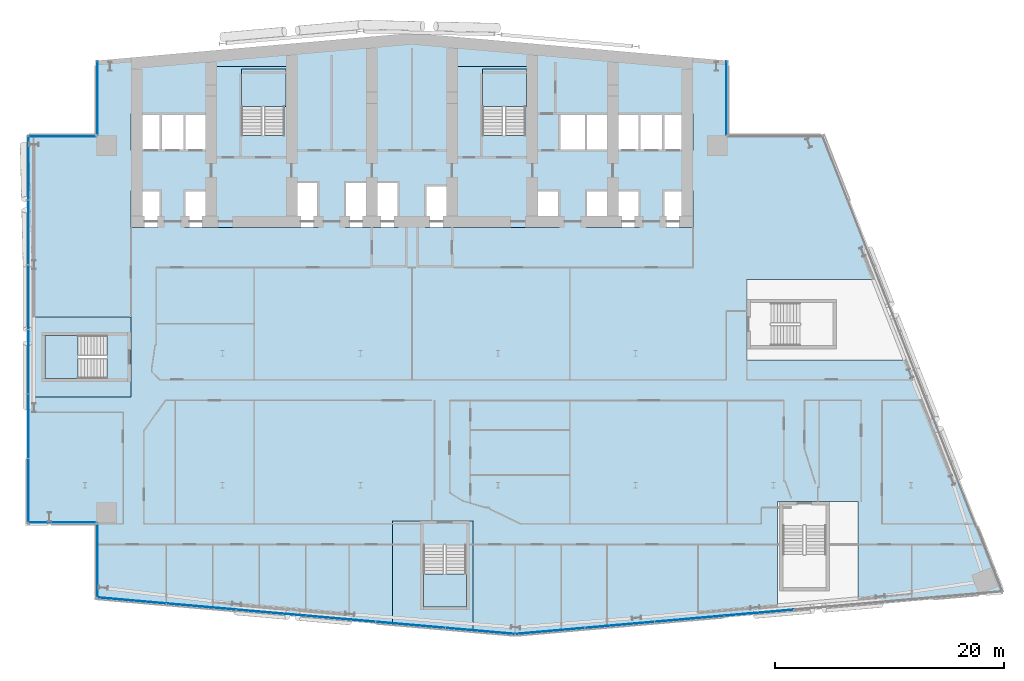
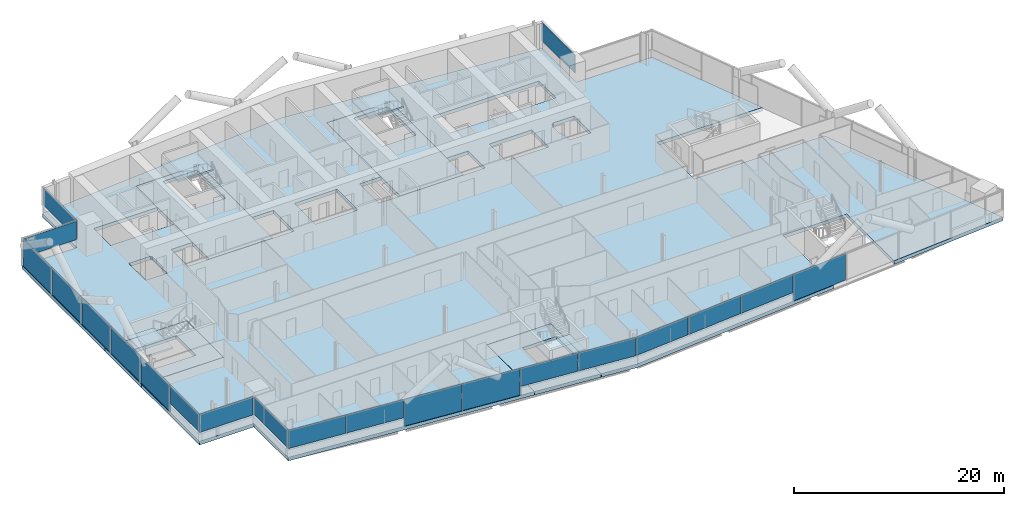
# One storey, part 12 of 27: 21 plates, 9 slabs, 12 elements without a shape of their own.
"""IFC4 building model written with IfcOpenShell, lengths in metres."""

from ifc_helpers import new_model, si_unit, direction, frame, origin, origin_2d, place, context, subcontext, project, spatial, polyline, rectangle, outline, extrude, material, layer, layer_set, type_object, element, aggregate, save


model = new_model("IFC4")

# Units and contexts
model_context = context("Model", 3, precision=1e-05, world=origin(), true_north=direction((0.0, 1.0)))
body_context = subcontext(model_context, "Body", "Model", "MODEL_VIEW")
ifc_project = project(units=[si_unit("LENGTHUNIT", "METRE"), si_unit("AREAUNIT", "SQUARE_METRE"), si_unit("VOLUMEUNIT", "CUBIC_METRE"), si_unit("PLANEANGLEUNIT", "RADIAN"), si_unit("MASSUNIT", "GRAM", prefix="KILO")], contexts=[model_context])

# Site, building, storey
site_placement = place(None, origin())
site = spatial("IfcSite", under=ifc_project, at=site_placement, CompositionType="ELEMENT")
building_placement = place(site_placement, origin())
building = spatial("IfcBuilding", under=site, at=building_placement, Name="Wharfspan Tower", CompositionType="ELEMENT")
storey_placement = place(building_placement, frame((0.0, 0.0, 136.300049)))
storey = spatial("IfcBuildingStorey", under=building, at=storey_placement, Name="L32", CompositionType="ELEMENT", Elevation=136.300049)

# Curtain wall, plates
ifc_material_1 = material(Name="Aluminium 6063-T6", Category="aluminium")
curtain_wall_type_1 = type_object("IfcCurtainWallType", Name="CURTAIN WALL FACETED FRONT", PredefinedType="NOTDEFINED", material=ifc_material_1)
curtain_wall_1_placement = place(storey_placement, origin())
curtain_wall_1 = element("IfcCurtainWall", 1, at=curtain_wall_1_placement, inside=storey, type_object=curtain_wall_type_1, Name="Curtain wall S1", PredefinedType="NOTDEFINED")
ifc_material_2 = material(Name="Glass clear low-iron double glazing", Category="glass")
ifc_layer_1 = layer(ifc_material_2, 0.040039)
ifc_layer_set_1 = layer_set([ifc_layer_1], Name="Glass clear low-iron double glazing")
plate_type_1 = type_object("IfcPlateType", Name="GLASS PANEL FACETED FRONT 40", PredefinedType="CURTAIN_PANEL", material=ifc_layer_set_1)
plate_1_placement = place(storey_placement, frame((16.061768, 1.467529, 1.0), z_axis=(0.0, 0.0, 1.0), x_axis=(0.996198, -0.087156, 0.0)))
plate_1 = element("IfcPlate", 2, at=plate_1_placement, type_object=plate_type_1, Name="Curtain wall S1 panel 1", PredefinedType="CURTAIN_PANEL", context=body_context, shape_type="SweptSolid", body=[
    extrude(rectangle(XDim=6.016602, YDim=0.040039, at=origin_2d()), origin(), (0.0, 0.0, 1.0), 2.120117),
])
plate_2_placement = place(storey_placement, frame((22.130127, 0.936523, 1.0), z_axis=(0.0, 0.0, 1.0), x_axis=(0.996198, -0.087156, 0.0)))
plate_2 = element("IfcPlate", 3, at=plate_2_placement, type_object=plate_type_1, Name="Curtain wall S1 panel 2", PredefinedType="CURTAIN_PANEL", context=body_context, shape_type="SweptSolid", body=[
    extrude(rectangle(XDim=6.046631, YDim=0.040039, at=origin_2d()), origin(), (0.0, 0.0, 1.0), 2.120117),
])
plate_3_placement = place(storey_placement, frame((40.380127, -0.660156, 1.0), z_axis=(0.0, 0.0, 1.0), x_axis=(0.996198, -0.087156, 0.0)))
plate_3 = element("IfcPlate", 4, at=plate_3_placement, type_object=plate_type_1, Name="Curtain wall S1 panel 5", PredefinedType="CURTAIN_PANEL", context=body_context, shape_type="SweptSolid", body=[
    extrude(rectangle(XDim=6.046631, YDim=0.040039, at=origin_2d()), origin(), (0.0, 0.0, 1.0), 2.120117),
])
plate_4_placement = place(storey_placement, frame((46.44873, -1.191162, 1.0), z_axis=(0.0, 0.0, 1.0), x_axis=(0.996198, -0.087156, 0.0)))
plate_4 = element("IfcPlate", 5, at=plate_4_placement, type_object=plate_type_1, Name="Curtain wall S1 panel 6", PredefinedType="CURTAIN_PANEL", context=body_context, shape_type="SweptSolid", body=[
    extrude(rectangle(XDim=6.016602, YDim=0.040039, at=origin_2d()), origin(), (0.0, 0.0, 1.0), 2.120117),
])

curtain_wall_2_placement = place(storey_placement, origin())
curtain_wall_2 = element("IfcCurtainWall", 6, at=curtain_wall_2_placement, inside=storey, type_object=curtain_wall_type_1, Name="Curtain wall S2", PredefinedType="NOTDEFINED")
plate_5_placement = place(storey_placement, frame((52.54541, -1.19165, 1.0), z_axis=(0.0, 0.0, 1.0), x_axis=(0.996198, 0.087156, 0.0)))
plate_5 = element("IfcPlate", 7, at=plate_5_placement, type_object=plate_type_1, Name="Curtain wall S2 panel 1", PredefinedType="CURTAIN_PANEL", context=body_context, shape_type="SweptSolid", body=[
    extrude(rectangle(XDim=6.004639, YDim=0.040039, at=origin_2d()), origin(), (0.0, 0.0, 1.0), 2.120117),
])
plate_6_placement = place(storey_placement, frame((58.601807, -0.661621, 1.0), z_axis=(0.0, 0.0, 1.0), x_axis=(0.996198, 0.087156, 0.0)))
plate_6 = element("IfcPlate", 8, at=plate_6_placement, type_object=plate_type_1, Name="Curtain wall S2 panel 2", PredefinedType="CURTAIN_PANEL", context=body_context, shape_type="SweptSolid", body=[
    extrude(rectangle(XDim=6.034668, YDim=0.040039, at=origin_2d()), origin(), (0.0, 0.0, 1.0), 2.120117),
])
plate_7_placement = place(storey_placement, frame((64.67334, -0.130615, 1.0), z_axis=(0.0, 0.0, 1.0), x_axis=(0.996198, 0.087156, 0.0)))
plate_7 = element("IfcPlate", 9, at=plate_7_placement, type_object=plate_type_1, Name="Curtain wall S2 panel 3", PredefinedType="CURTAIN_PANEL", context=body_context, shape_type="SweptSolid", body=[
    extrude(rectangle(XDim=6.034668, YDim=0.040039, at=origin_2d()), origin(), (0.0, 0.0, 1.0), 2.120117),
])

# Curtain wall, plate
curtain_wall_type_2 = type_object("IfcCurtainWallType", Name="CURTAIN WALL PROW AND END", PredefinedType="NOTDEFINED", material=ifc_material_1)
curtain_wall_3_placement = place(storey_placement, origin())
curtain_wall_3 = element("IfcCurtainWall", 10, at=curtain_wall_3_placement, inside=storey, type_object=curtain_wall_type_2, Name="Curtain wall NRE-V", PredefinedType="NOTDEFINED")
ifc_layer_2 = layer(ifc_material_2, 0.040039)
ifc_layer_set_2 = layer_set([ifc_layer_2], Name="Glass clear low-iron double glazing")
plate_type_2 = type_object("IfcPlateType", Name="GLASS PANEL PROW AND END 40", PredefinedType="CURTAIN_PANEL", material=ifc_layer_set_2)
plate_8_placement = place(storey_placement, frame((67.919922, 45.262451, 1.0), z_axis=(0.0, 0.0, 1.0), x_axis=(0.0, 1.0, 0.0)))
plate_8 = element("IfcPlate", 11, at=plate_8_placement, type_object=plate_type_2, Name="Curtain wall NRE-V panel 1", PredefinedType="CURTAIN_PANEL", context=body_context, shape_type="SweptSolid", body=[
    extrude(rectangle(XDim=6.405029, YDim=0.040039, at=origin_2d()), origin(), (0.0, 0.0, 1.0), 2.120117),
])
aggregate(curtain_wall_3, [plate_8])

curtain_wall_4_placement = place(storey_placement, origin())
curtain_wall_4 = element("IfcCurtainWall", 12, at=curtain_wall_4_placement, inside=storey, type_object=curtain_wall_type_2, Name="Curtain wall NRW-V", PredefinedType="NOTDEFINED")
plate_9_placement = place(storey_placement, frame((13.080078, 45.262451, 1.0), z_axis=(0.0, 0.0, 1.0), x_axis=(0.0, -1.0, 0.0)))
plate_9 = element("IfcPlate", 13, at=plate_9_placement, type_object=plate_type_2, Name="Curtain wall NRW-V panel 1", PredefinedType="CURTAIN_PANEL", context=body_context, shape_type="SweptSolid", body=[
    extrude(rectangle(XDim=6.405029, YDim=0.040039, at=origin_2d()), origin(), (0.0, 0.0, 1.0), 2.120117),
])
aggregate(curtain_wall_4, [plate_9])

curtain_wall_5_placement = place(storey_placement, origin())
curtain_wall_5 = element("IfcCurtainWall", 14, at=curtain_wall_5_placement, inside=storey, type_object=curtain_wall_type_2, Name="Curtain wall NRW-H", PredefinedType="NOTDEFINED")
plate_10_placement = place(storey_placement, frame((10.0, 41.919922, 1.0), z_axis=(0.0, 0.0, 1.0), x_axis=(-1.0, 0.0, 0.0)))
plate_10 = element("IfcPlate", 15, at=plate_10_placement, type_object=plate_type_2, Name="Curtain wall NRW-H panel 1", PredefinedType="CURTAIN_PANEL", context=body_context, shape_type="SweptSolid", body=[
    extrude(rectangle(XDim=5.879883, YDim=0.040039, at=origin_2d()), origin(), (0.0, 0.0, 1.0), 2.120117),
])
aggregate(curtain_wall_5, [plate_10])

curtain_wall_6_placement = place(storey_placement, origin())
curtain_wall_6 = element("IfcCurtainWall", 16, at=curtain_wall_6_placement, inside=storey, type_object=curtain_wall_type_2, Name="Curtain wall W", PredefinedType="NOTDEFINED")
plate_11_placement = place(storey_placement, frame((7.080078, 11.031738, 1.0), z_axis=(0.0, 0.0, 1.0), x_axis=(0.0, -1.0, 0.0)))
plate_11 = element("IfcPlate", 17, at=plate_11_placement, type_object=plate_type_2, Name="Curtain wall W panel 6", PredefinedType="CURTAIN_PANEL", context=body_context, shape_type="SweptSolid", body=[
    extrude(rectangle(XDim=5.543213, YDim=0.040039, at=origin_2d()), origin(), (0.0, 0.0, 1.0), 2.120117),
])

curtain_wall_7_placement = place(storey_placement, origin())
curtain_wall_7 = element("IfcCurtainWall", 18, at=curtain_wall_7_placement, inside=storey, type_object=curtain_wall_type_2, Name="Curtain wall NFW-H", PredefinedType="NOTDEFINED")
plate_12_placement = place(storey_placement, frame((10.0, 8.280029, 1.0), z_axis=(0.0, 0.0, 1.0), x_axis=(1.0, 0.0, 0.0)))
plate_12 = element("IfcPlate", 19, at=plate_12_placement, type_object=plate_type_2, Name="Curtain wall NFW-H panel 1", PredefinedType="CURTAIN_PANEL", context=body_context, shape_type="SweptSolid", body=[
    extrude(rectangle(XDim=5.879883, YDim=0.040039, at=origin_2d()), origin(), (0.0, 0.0, 1.0), 2.120117),
])
aggregate(curtain_wall_7, [plate_12])

curtain_wall_8_placement = place(storey_placement, origin())
curtain_wall_8 = element("IfcCurtainWall", 20, at=curtain_wall_8_placement, inside=storey, type_object=curtain_wall_type_2, Name="Curtain wall NFW-V", PredefinedType="NOTDEFINED")
plate_13_placement = place(storey_placement, frame((13.080078, 4.9375, 1.0), z_axis=(0.0, 0.0, 1.0), x_axis=(0.0, -1.0, 0.0)))
plate_13 = element("IfcPlate", 21, at=plate_13_placement, type_object=plate_type_2, Name="Curtain wall NFW-V panel 1", PredefinedType="CURTAIN_PANEL", context=body_context, shape_type="SweptSolid", body=[
    extrude(rectangle(XDim=6.405029, YDim=0.040039, at=origin_2d()), origin(), (0.0, 0.0, 1.0), 2.120117),
])
aggregate(curtain_wall_8, [plate_13])

# Plate
ifc_material_3 = material(Name="Aluminium composite opaque insulated panel", Category="aluminium")
ifc_layer_3 = layer(ifc_material_3, 0.040039)
ifc_layer_set_3 = layer_set([ifc_layer_3], Name="Aluminium composite opaque insulated panel")
plate_type_3 = type_object("IfcPlateType", Name="INFILL PANEL FACETED FRONT OPAQUE 40", PredefinedType="SHEET", material=ifc_layer_set_3)
plate_14_placement = place(storey_placement, frame((28.213623, 0.404297, 0.0), z_axis=(0.0, 0.0, 1.0), x_axis=(0.996198, -0.087156, 0.0)))
plate_14 = element("IfcPlate", 22, at=plate_14_placement, type_object=plate_type_3, Name="Curtain wall S1 panel 3", PredefinedType="SHEET", context=body_context, shape_type="SweptSolid", body=[
    extrude(rectangle(XDim=6.046631, YDim=0.040039, at=origin_2d()), origin(), (0.0, 0.0, 1.0), 3.120117),
])

plate_15_placement = place(storey_placement, frame((34.296875, -0.12793, 0.0), z_axis=(0.0, 0.0, 1.0), x_axis=(0.996198, -0.087156, 0.0)))
plate_15 = element("IfcPlate", 23, at=plate_15_placement, type_object=plate_type_3, Name="Curtain wall S1 panel 4", PredefinedType="SHEET", context=body_context, shape_type="SweptSolid", body=[
    extrude(rectangle(XDim=6.046631, YDim=0.040039, at=origin_2d()), origin(), (0.0, 0.0, 1.0), 3.120117),
])

aggregate(curtain_wall_1, [plate_1, plate_2, plate_14, plate_15, plate_3, plate_4])

plate_16_placement = place(storey_placement, frame((70.744873, 0.400635, 0.0), z_axis=(0.0, 0.0, 1.0), x_axis=(0.996198, 0.087156, 0.0)))
plate_16 = element("IfcPlate", 24, at=plate_16_placement, type_object=plate_type_3, Name="Curtain wall S2 panel 4", PredefinedType="SHEET", context=body_context, shape_type="SweptSolid", body=[
    extrude(rectangle(XDim=6.034668, YDim=0.040039, at=origin_2d()), origin(), (0.0, 0.0, 1.0), 3.120117),
])

aggregate(curtain_wall_2, [plate_5, plate_6, plate_7, plate_16])

ifc_layer_4 = layer(ifc_material_3, 0.040039)
ifc_layer_set_4 = layer_set([ifc_layer_4], Name="Aluminium composite opaque insulated panel")
plate_type_4 = type_object("IfcPlateType", Name="INFILL PANEL PROW AND END OPAQUE 40", PredefinedType="SHEET", material=ifc_layer_set_4)
plate_17_placement = place(storey_placement, frame((7.080078, 39.168213, 0.0), z_axis=(0.0, 0.0, 1.0), x_axis=(0.0, -1.0, 0.0)))
plate_17 = element("IfcPlate", 25, at=plate_17_placement, type_object=plate_type_4, Name="Curtain wall W panel 1", PredefinedType="SHEET", context=body_context, shape_type="SweptSolid", body=[
    extrude(rectangle(XDim=5.543213, YDim=0.040039, at=origin_2d()), origin(), (0.0, 0.0, 1.0), 3.120117),
])

plate_18_placement = place(storey_placement, frame((7.080078, 33.550049, 0.0), z_axis=(0.0, 0.0, 1.0), x_axis=(0.0, -1.0, 0.0)))
plate_18 = element("IfcPlate", 26, at=plate_18_placement, type_object=plate_type_4, Name="Curtain wall W panel 2", PredefinedType="SHEET", context=body_context, shape_type="SweptSolid", body=[
    extrude(rectangle(XDim=5.573242, YDim=0.040039, at=origin_2d()), origin(), (0.0, 0.0, 1.0), 3.120117),
])

plate_19_placement = place(storey_placement, frame((7.080078, 27.916748, 0.0), z_axis=(0.0, 0.0, 1.0), x_axis=(0.0, -1.0, 0.0)))
plate_19 = element("IfcPlate", 27, at=plate_19_placement, type_object=plate_type_4, Name="Curtain wall W panel 3", PredefinedType="SHEET", context=body_context, shape_type="SweptSolid", body=[
    extrude(rectangle(XDim=5.573242, YDim=0.040039, at=origin_2d()), origin(), (0.0, 0.0, 1.0), 3.120117),
])

plate_20_placement = place(storey_placement, frame((7.080078, 22.283447, 0.0), z_axis=(0.0, 0.0, 1.0), x_axis=(0.0, -1.0, 0.0)))
plate_20 = element("IfcPlate", 28, at=plate_20_placement, type_object=plate_type_4, Name="Curtain wall W panel 4", PredefinedType="SHEET", context=body_context, shape_type="SweptSolid", body=[
    extrude(rectangle(XDim=5.573242, YDim=0.040039, at=origin_2d()), origin(), (0.0, 0.0, 1.0), 3.120117),
])

plate_21_placement = place(storey_placement, frame((7.080078, 16.649902, 0.0), z_axis=(0.0, 0.0, 1.0), x_axis=(0.0, -1.0, 0.0)))
plate_21 = element("IfcPlate", 29, at=plate_21_placement, type_object=plate_type_4, Name="Curtain wall W panel 5", PredefinedType="SHEET", context=body_context, shape_type="SweptSolid", body=[
    extrude(rectangle(XDim=5.573242, YDim=0.040039, at=origin_2d()), origin(), (0.0, 0.0, 1.0), 3.120117),
])

aggregate(curtain_wall_6, [plate_17, plate_18, plate_19, plate_20, plate_21, plate_11])

# Slabs
ifc_material_4 = material(Name="Concrete C40/50", Category="concrete")
ifc_layer_5 = layer(ifc_material_4, 0.399902)
ifc_layer_set_5 = layer_set([ifc_layer_5], Name="Concrete C40/50")
slab_type_1 = type_object("IfcSlabType", Name="Post-tensioned flat slab 400", PredefinedType="FLOOR", material=ifc_layer_set_5)
slab_1_placement = place(storey_placement, frame((0.0, 0.0, -0.400146)))
element("IfcSlab", 30, at=slab_1_placement, inside=storey, type_object=slab_type_1, Name="Floor slab L32", PredefinedType="FLOOR", context=body_context, shape_type="SweptSolid", body=[
    extrude(outline(polyline([(38.800293, -0.582275), (38.800293, 8.427002), (45.820312, 8.427002), (45.820312, -1.196289), (49.5, -1.518311), (72.355957, 0.481445), (72.355957, 10.104736), (79.375977, 10.104736), (79.375977, 1.095459), (92.0, 2.199951), (84.04541, 22.439941), (69.68042, 22.439941), (69.68042, 29.459961), (81.286621, 29.459961), (76.358154, 42.0), (68.0, 42.0), (68.0, 48.524902), (40.5, 50.930908), (13.0, 48.524902), (13.0, 42.0), (7.0, 42.0), (7.0, 26.209961), (16.01001, 26.209961), (16.01001, 19.189941), (7.0, 19.189941), (7.0, 8.199951), (13.0, 8.199951), (13.0, 1.675049), (38.800293, -0.582275)]), holes=[polyline([(62.48999, 35.389893), (62.36499, 35.389893), (62.36499, 36.909912), (62.48999, 36.909912), (62.48999, 37.110107), (62.656738, 37.110107), (62.656738, 37.209961), (65.01001, 37.209961), (65.01001, 33.98999), (62.656738, 33.98999), (62.656738, 34.98999), (62.48999, 34.98999), (62.48999, 35.389893)]), polyline([(65.01001, 43.909912), (65.01001, 40.689941), (53.323242, 40.689941), (53.323242, 43.909912), (65.01001, 43.909912)]), polyline([(55.656738, 33.98999), (55.656738, 37.209961), (60.343262, 37.209961), (60.343262, 33.98999), (55.656738, 33.98999)]), polyline([(43.98999, 37.659912), (43.98999, 48.01001), (51.01001, 48.01001), (51.01001, 37.209961), (53.343262, 37.209961), (53.343262, 33.98999), (41.656738, 33.98999), (41.656738, 37.659912), (43.98999, 37.659912)]), polyline([(34.656738, 33.98999), (34.656738, 37.959961), (39.343262, 37.959961), (39.343262, 33.98999), (34.656738, 33.98999)]), polyline([(20.656738, 37.209961), (22.98999, 37.209961), (22.98999, 40.689941), (20.676758, 40.689941), (20.656738, 40.689941), (15.98999, 40.689941), (15.98999, 43.909912), (20.656738, 43.909912), (20.676758, 43.909912), (22.98999, 43.909912), (22.98999, 48.01001), (30.01001, 48.01001), (30.01001, 37.959961), (32.343262, 37.959961), (32.343262, 33.98999), (20.656738, 33.98999), (20.656738, 37.209961)]), polyline([(18.51001, 34.98999), (18.343262, 34.98999), (18.343262, 33.98999), (15.98999, 33.98999), (15.98999, 37.209961), (18.343262, 37.209961), (18.343262, 37.110107), (18.51001, 37.110107), (18.51001, 34.98999)])]), origin(), (0.0, 0.0, 1.0), 0.400146),
])
slab_2_placement = place(storey_placement, frame((0.0, 0.0, -0.400146)))
element("IfcSlab", 31, at=slab_2_placement, inside=storey, type_object=slab_type_1, Name="Core floor slab L32 part 1", PredefinedType="FLOOR", context=body_context, shape_type="SweptSolid", body=[
    extrude(outline(polyline([(16.0, 20.524902), (16.0, 24.875), (16.0, 26.199951), (7.0, 26.199951), (7.0, 19.199951), (16.0, 19.199951), (16.0, 20.524902)]), holes=[polyline([(13.9021, 20.824951), (13.9021, 20.824707), (13.9021, 20.824707), (13.901855, 20.824463), (13.901855, 20.824219), (13.901855, 20.824219), (13.901611, 20.823975), (13.901611, 20.82373), (13.901367, 20.823486), (13.901367, 20.823486), (13.901123, 20.823242), (13.900879, 20.823242), (13.900879, 20.823242), (13.900635, 20.822998), (13.900391, 20.822998), (13.900146, 20.822998), (13.899902, 20.822998), (8.5, 20.822998), (8.499756, 20.822998), (8.499512, 20.822998), (8.499512, 20.822998), (8.499268, 20.823242), (8.499023, 20.823242), (8.498779, 20.823242), (8.498779, 20.823486), (8.498535, 20.823486), (8.498535, 20.82373), (8.498291, 20.823975), (8.498291, 20.824219), (8.498291, 20.824219), (8.498047, 20.824463), (8.498047, 20.824707), (8.498047, 20.824707), (8.498047, 20.824951), (8.498047, 24.574951), (8.498047, 24.575195), (8.498047, 24.575439), (8.498047, 24.575684), (8.498291, 24.575684), (8.498291, 24.575928), (8.498291, 24.576172), (8.498535, 24.576416), (8.498535, 24.576416), (8.498779, 24.576416), (8.498779, 24.57666), (8.499023, 24.576904), (8.499268, 24.576904), (8.499512, 24.576904), (8.499512, 24.576904), (8.499756, 24.576904), (8.5, 24.576904), (13.899902, 24.576904), (13.900146, 24.576904), (13.900391, 24.576904), (13.900635, 24.576904), (13.900879, 24.576904), (13.900879, 24.576904), (13.901123, 24.57666), (13.901367, 24.576416), (13.901367, 24.576416), (13.901611, 24.576416), (13.901611, 24.576172), (13.901855, 24.575928), (13.901855, 24.575684), (13.901855, 24.575684), (13.9021, 24.575439), (13.9021, 24.575195), (13.9021, 24.574951), (13.9021, 20.824951)])]), origin(), (0.0, 0.0, 1.0), 0.400146),
])
slab_3_placement = place(storey_placement, frame((0.0, 0.0, -0.400146)))
element("IfcSlab", 32, at=slab_3_placement, inside=storey, type_object=slab_type_1, Name="Core floor slab L32 part 2", PredefinedType="FLOOR", context=body_context, shape_type="SweptSolid", body=[
    extrude(outline(polyline([(20.664795, 34.0), (20.664795, 37.199951), (20.664795, 37.200195), (20.664795, 37.200439), (20.664795, 37.200684), (20.664795, 37.200684), (20.664795, 37.200928), (20.665039, 37.201172), (20.665039, 37.201416), (20.665283, 37.201416), (20.665283, 37.201416), (20.665527, 37.20166), (20.665771, 37.201904), (20.666016, 37.201904), (20.666016, 37.201904), (20.66626, 37.201904), (20.666504, 37.201904), (20.666748, 37.201904), (23.0, 37.201904), (23.000244, 37.201904), (23.000488, 37.201904), (23.000488, 37.201904), (23.000732, 37.201904), (23.000977, 37.201904), (23.001221, 37.20166), (23.001221, 37.201416), (23.001465, 37.201416), (23.001465, 37.201416), (23.001709, 37.201172), (23.001709, 37.200928), (23.001709, 37.200684), (23.001953, 37.200684), (23.001953, 37.200439), (23.001953, 37.200195), (23.001953, 37.199951), (23.001953, 34.0), (29.998047, 34.0), (29.998047, 37.949951), (29.998047, 37.950195), (29.998047, 37.950439), (29.998047, 37.950684), (29.998291, 37.950684), (29.998291, 37.950928), (29.998291, 37.951172), (29.998535, 37.951416), (29.998535, 37.951416), (29.998779, 37.951416), (29.998779, 37.95166), (29.999023, 37.951904), (29.999268, 37.951904), (29.999512, 37.951904), (29.999512, 37.951904), (29.999756, 37.951904), (30.0, 37.951904), (32.333252, 37.951904), (32.333496, 37.951904), (32.33374, 37.951904), (32.333984, 37.951904), (32.333984, 37.951904), (32.334229, 37.951904), (32.334473, 37.95166), (32.334717, 37.951416), (32.334717, 37.951416), (32.334961, 37.951416), (32.334961, 37.951172), (32.335205, 37.950928), (32.335205, 37.950684), (32.335205, 37.950684), (32.335205, 37.950439), (32.335205, 37.950195), (32.335205, 37.949951), (32.335205, 34.0), (32.341309, 34.0), (32.341309, 37.958008), (30.01001, 37.958008), (30.009766, 37.958008), (30.009521, 37.958008), (30.009521, 37.958008), (30.009277, 37.958252), (30.009033, 37.958252), (30.008789, 37.958252), (30.008789, 37.958496), (30.008545, 37.958496), (30.008545, 37.95874), (30.008301, 37.958984), (30.008301, 37.958984), (30.008301, 37.959229), (30.008057, 37.959473), (30.008057, 37.959717), (30.008057, 37.959717), (30.008057, 37.959961), (30.008057, 48.008057), (22.991943, 48.008057), (22.991943, 43.909912), (22.991943, 43.909912), (22.991943, 43.909668), (22.991943, 43.909424), (22.991699, 43.90918), (22.991699, 43.90918), (22.991699, 43.908936), (22.991455, 43.908691), (22.991455, 43.908691), (22.991211, 43.908447), (22.991211, 43.908203), (22.990967, 43.908203), (22.990723, 43.908203), (22.990479, 43.908203), (22.990479, 43.907959), (22.990234, 43.907959), (22.98999, 43.907959), (16.0, 43.907959), (16.0, 43.9021), (20.666748, 43.9021), (20.666748, 43.9021), (23.0, 43.9021), (23.000244, 43.9021), (23.000488, 43.9021), (23.000488, 43.901855), (23.000732, 43.901855), (23.000977, 43.901855), (23.001221, 43.901611), (23.001221, 43.901611), (23.001465, 43.901367), (23.001465, 43.901367), (23.001709, 43.901123), (23.001709, 43.900879), (23.001709, 43.900879), (23.001953, 43.900635), (23.001953, 43.900391), (23.001953, 43.900146), (23.001953, 43.899902), (23.001953, 40.699951), (23.001953, 40.699707), (23.001953, 40.699707), (23.001953, 40.699463), (23.001709, 40.699219), (23.001709, 40.699219), (23.001709, 40.698975), (23.001465, 40.69873), (23.001465, 40.698486), (23.001221, 40.698486), (23.001221, 40.698242), (23.000977, 40.698242), (23.000732, 40.698242), (23.000488, 40.697998), (23.000488, 40.697998), (23.000244, 40.697998), (23.0, 40.697998), (20.666748, 40.697998), (20.666748, 40.697998), (16.0, 40.697998), (16.0, 40.691895), (22.98999, 40.691895), (22.990234, 40.691895), (22.990479, 40.691895), (22.990479, 40.691895), (22.990723, 40.691895), (22.990967, 40.691895), (22.991211, 40.69165), (22.991211, 40.691406), (22.991455, 40.691406), (22.991455, 40.691406), (22.991699, 40.691162), (22.991699, 40.690918), (22.991699, 40.690918), (22.991943, 40.690674), (22.991943, 40.69043), (22.991943, 40.690186), (22.991943, 40.689941), (22.991943, 37.209961), (22.991943, 37.209717), (22.991943, 37.209717), (22.991943, 37.209473), (22.991699, 37.209229), (22.991699, 37.208984), (22.991699, 37.208984), (22.991455, 37.20874), (22.991455, 37.208496), (22.991211, 37.208496), (22.991211, 37.208252), (22.990967, 37.208252), (22.990723, 37.208252), (22.990479, 37.208008), (22.990479, 37.208008), (22.990234, 37.208008), (22.98999, 37.208008), (20.658691, 37.208008), (20.658691, 34.0), (20.664795, 34.0)]), holes=[polyline([(25.649902, 41.998047), (25.649902, 41.998047), (25.649658, 41.998047), (25.649414, 41.998047), (25.64917, 41.998291), (25.64917, 41.998291), (25.648926, 41.998291), (25.648682, 41.998535), (25.648682, 41.998535), (25.648438, 41.998779), (25.648193, 41.998779), (25.648193, 41.999023), (25.648193, 41.999268), (25.648193, 41.999512), (25.647949, 41.999512), (25.647949, 41.999756), (25.647949, 42.0), (25.647949, 47.399902), (25.647949, 47.400146), (25.647949, 47.400391), (25.648193, 47.400635), (25.648193, 47.400879), (25.648193, 47.400879), (25.648193, 47.401123), (25.648438, 47.401367), (25.648682, 47.401367), (25.648682, 47.401611), (25.648926, 47.401611), (25.64917, 47.401855), (25.64917, 47.401855), (25.649414, 47.401855), (25.649658, 47.4021), (25.649902, 47.4021), (25.649902, 47.4021), (29.399902, 47.4021), (29.400146, 47.4021), (29.400391, 47.4021), (29.400635, 47.401855), (29.400879, 47.401855), (29.400879, 47.401855), (29.401123, 47.401611), (29.401367, 47.401611), (29.401367, 47.401367), (29.401611, 47.401367), (29.401611, 47.401123), (29.401855, 47.400879), (29.401855, 47.400879), (29.401855, 47.400635), (29.4021, 47.400391), (29.4021, 47.400146), (29.4021, 47.399902), (29.4021, 42.0), (29.4021, 41.999756), (29.4021, 41.999512), (29.401855, 41.999512), (29.401855, 41.999268), (29.401855, 41.999023), (29.401611, 41.998779), (29.401611, 41.998779), (29.401367, 41.998535), (29.401367, 41.998535), (29.401123, 41.998291), (29.400879, 41.998291), (29.400879, 41.998291), (29.400635, 41.998047), (29.400391, 41.998047), (29.400146, 41.998047), (29.399902, 41.998047), (25.649902, 41.998047)])]), origin(), (0.0, 0.0, 1.0), 0.400146),
])
slab_4_placement = place(storey_placement, frame((0.0, 0.0, -0.400146)))
element("IfcSlab", 33, at=slab_4_placement, inside=storey, type_object=slab_type_1, Name="Core floor slab L32 part 3", PredefinedType="FLOOR", context=body_context, shape_type="SweptSolid", body=[
    extrude(outline(polyline([(45.5354, 8.416992), (41.185303, 8.416992), (38.810303, 8.416992), (38.810303, -0.583008), (45.810303, -1.195557), (45.810303, 8.416992), (45.5354, 8.416992)]), holes=[polyline([(41.483398, 6.316895), (41.483398, 6.317139), (41.483398, 6.317383), (41.483398, 6.317383), (41.483398, 6.317627), (41.483398, 6.317871), (41.483643, 6.318115), (41.483643, 6.318115), (41.483887, 6.318359), (41.483887, 6.318604), (41.484131, 6.318604), (41.484375, 6.318604), (41.484619, 6.318848), (41.484619, 6.318848), (41.484863, 6.318848), (41.485107, 6.319092), (41.485352, 6.319092), (45.235352, 6.319092), (45.235596, 6.319092), (45.235596, 6.318848), (45.23584, 6.318848), (45.236084, 6.318848), (45.236084, 6.318604), (45.236328, 6.318604), (45.236572, 6.318604), (45.236816, 6.318359), (45.236816, 6.318115), (45.236816, 6.318115), (45.237061, 6.317871), (45.237061, 6.317627), (45.237305, 6.317383), (45.237305, 6.317383), (45.237305, 6.317139), (45.237305, 6.316895), (45.237305, 0.916992), (45.237305, 0.916748), (45.237305, 0.916504), (45.237305, 0.916504), (45.237061, 0.91626), (45.237061, 0.916016), (45.236816, 0.916016), (45.236816, 0.915771), (45.236816, 0.915527), (45.236572, 0.915283), (45.236328, 0.915283), (45.236084, 0.915283), (45.236084, 0.915039), (45.23584, 0.915039), (45.235596, 0.915039), (45.235596, 0.915039), (45.235352, 0.915039), (41.485352, 0.915039), (41.485107, 0.915039), (41.484863, 0.915039), (41.484619, 0.915039), (41.484619, 0.915039), (41.484375, 0.915283), (41.484131, 0.915283), (41.483887, 0.915283), (41.483887, 0.915527), (41.483643, 0.915771), (41.483643, 0.916016), (41.483398, 0.916016), (41.483398, 0.91626), (41.483398, 0.916504), (41.483398, 0.916504), (41.483398, 0.916748), (41.483398, 0.916992), (41.483398, 6.316895)])]), origin(), (0.0, 0.0, 1.0), 0.400146),
])
slab_5_placement = place(storey_placement, frame((0.0, 0.0, -0.400146)))
element("IfcSlab", 34, at=slab_5_placement, inside=storey, type_object=slab_type_1, Name="Core floor slab L32 part 4", PredefinedType="FLOOR", context=body_context, shape_type="SweptSolid", body=[
    extrude(outline(polyline([(53.341309, 34.0), (53.341309, 37.208008), (51.01001, 37.208008), (51.009766, 37.208008), (51.009521, 37.208008), (51.009521, 37.208008), (51.009277, 37.208252), (51.009033, 37.208252), (51.008789, 37.208252), (51.008789, 37.208496), (51.008545, 37.208496), (51.008545, 37.20874), (51.008301, 37.208984), (51.008301, 37.208984), (51.008301, 37.209229), (51.008057, 37.209473), (51.008057, 37.209717), (51.008057, 37.209717), (51.008057, 37.209961), (51.008057, 48.008057), (43.991943, 48.008057), (43.991943, 37.659912), (43.991943, 37.659912), (43.991943, 37.659668), (43.991943, 37.659424), (43.991699, 37.65918), (43.991699, 37.65918), (43.991699, 37.658936), (43.991455, 37.658691), (43.991455, 37.658691), (43.991211, 37.658447), (43.991211, 37.658203), (43.990967, 37.658203), (43.990723, 37.658203), (43.990479, 37.658203), (43.990479, 37.657959), (43.990234, 37.657959), (43.98999, 37.657959), (41.658691, 37.657959), (41.658691, 34.0), (41.664795, 34.0), (41.664795, 37.649902), (41.664795, 37.650146), (41.664795, 37.650391), (41.664795, 37.650635), (41.664795, 37.650879), (41.664795, 37.650879), (41.665039, 37.651123), (41.665039, 37.651367), (41.665283, 37.651367), (41.665283, 37.651611), (41.665527, 37.651611), (41.665771, 37.651855), (41.666016, 37.651855), (41.666016, 37.651855), (41.66626, 37.6521), (41.666504, 37.6521), (41.666748, 37.6521), (44.0, 37.6521), (44.000244, 37.6521), (44.000488, 37.6521), (44.000488, 37.651855), (44.000732, 37.651855), (44.000977, 37.651855), (44.001221, 37.651611), (44.001221, 37.651611), (44.001465, 37.651367), (44.001465, 37.651367), (44.001709, 37.651123), (44.001709, 37.650879), (44.001709, 37.650879), (44.001953, 37.650635), (44.001953, 37.650391), (44.001953, 37.650146), (44.001953, 37.649902), (44.001953, 34.0), (50.998047, 34.0), (50.998047, 37.199951), (50.998047, 37.200195), (50.998047, 37.200439), (50.998047, 37.200684), (50.998291, 37.200684), (50.998291, 37.200928), (50.998291, 37.201172), (50.998535, 37.201416), (50.998535, 37.201416), (50.998779, 37.201416), (50.998779, 37.20166), (50.999023, 37.201904), (50.999268, 37.201904), (50.999512, 37.201904), (50.999512, 37.201904), (50.999756, 37.201904), (51.0, 37.201904), (53.333252, 37.201904), (53.333496, 37.201904), (53.33374, 37.201904), (53.333984, 37.201904), (53.333984, 37.201904), (53.334229, 37.201904), (53.334473, 37.20166), (53.334717, 37.201416), (53.334717, 37.201416), (53.334961, 37.201416), (53.334961, 37.201172), (53.335205, 37.200928), (53.335205, 37.200684), (53.335205, 37.200684), (53.335205, 37.200439), (53.335205, 37.200195), (53.335205, 37.199951), (53.335205, 34.0), (53.341309, 34.0)]), holes=[polyline([(50.4021, 42.0), (50.4021, 41.999756), (50.4021, 41.999512), (50.401855, 41.999512), (50.401855, 41.999268), (50.401855, 41.999023), (50.401611, 41.998779), (50.401611, 41.998779), (50.401367, 41.998535), (50.401367, 41.998535), (50.401123, 41.998291), (50.400879, 41.998291), (50.400879, 41.998291), (50.400635, 41.998047), (50.400391, 41.998047), (50.400146, 41.998047), (50.399902, 41.998047), (46.649902, 41.998047), (46.649902, 41.998047), (46.649658, 41.998047), (46.649414, 41.998047), (46.64917, 41.998291), (46.64917, 41.998291), (46.648926, 41.998291), (46.648682, 41.998535), (46.648682, 41.998535), (46.648438, 41.998779), (46.648193, 41.998779), (46.648193, 41.999023), (46.648193, 41.999268), (46.648193, 41.999512), (46.647949, 41.999512), (46.647949, 41.999756), (46.647949, 42.0), (46.647949, 47.399902), (46.647949, 47.400146), (46.647949, 47.400391), (46.648193, 47.400635), (46.648193, 47.400879), (46.648193, 47.400879), (46.648193, 47.401123), (46.648438, 47.401367), (46.648682, 47.401367), (46.648682, 47.401611), (46.648926, 47.401611), (46.64917, 47.401855), (46.64917, 47.401855), (46.649414, 47.401855), (46.649658, 47.4021), (46.649902, 47.4021), (46.649902, 47.4021), (50.399902, 47.4021), (50.400146, 47.4021), (50.400391, 47.4021), (50.400635, 47.401855), (50.400879, 47.401855), (50.400879, 47.401855), (50.401123, 47.401611), (50.401367, 47.401611), (50.401367, 47.401367), (50.401611, 47.401367), (50.401611, 47.401123), (50.401855, 47.400879), (50.401855, 47.400879), (50.401855, 47.400635), (50.4021, 47.400391), (50.4021, 47.400146), (50.4021, 47.399902), (50.4021, 42.0)])]), origin(), (0.0, 0.0, 1.0), 0.400146),
])

# Stair, slab
stair_type = type_object("IfcStairType", Name="Half-turn stair 20 risers 180 mm", PredefinedType="HALF_TURN_STAIR", material=ifc_material_4)
stair_1_placement = place(storey_placement, origin())
stair_1 = element("IfcStair", 35, at=stair_1_placement, inside=storey, type_object=stair_type, Name="L32 stair ST1", PredefinedType="HALF_TURN_STAIR")
ifc_layer_6 = layer(ifc_material_4, 0.199951)
ifc_layer_set_6 = layer_set([ifc_layer_6], Name="Concrete C40/50")
slab_type_2 = type_object("IfcSlabType", Name="Stair landing 200", PredefinedType="LANDING", material=ifc_layer_set_6)
slab_6_placement = place(storey_placement, frame((0.0, 0.0, 1.599854)))
slab_6 = element("IfcSlab", 36, at=slab_6_placement, type_object=slab_type_2, Name="ST1 landing 1", PredefinedType="LANDING", context=body_context, shape_type="SweptSolid", body=[
    extrude(outline(polyline([(25.649902, 44.52002), (29.5, 44.52002), (29.5, 47.783691), (25.649902, 47.783691), (25.649902, 44.52002)])), origin(), (0.0, 0.0, 1.0), 0.200195),
])
aggregate(stair_1, [slab_6])

stair_2_placement = place(storey_placement, origin())
stair_2 = element("IfcStair", 37, at=stair_2_placement, inside=storey, type_object=stair_type, Name="L32 stair ST2", PredefinedType="HALF_TURN_STAIR")
slab_7_placement = place(storey_placement, frame((0.0, 0.0, 1.599854)))
slab_7 = element("IfcSlab", 38, at=slab_7_placement, type_object=slab_type_2, Name="ST2 landing 1", PredefinedType="LANDING", context=body_context, shape_type="SweptSolid", body=[
    extrude(outline(polyline([(46.649902, 44.52002), (50.5, 44.52002), (50.5, 47.783691), (46.649902, 47.783691), (46.649902, 44.52002)])), origin(), (0.0, 0.0, 1.0), 0.200195),
])
aggregate(stair_2, [slab_7])

stair_3_placement = place(storey_placement, origin())
stair_3 = element("IfcStair", 39, at=stair_3_placement, inside=storey, type_object=stair_type, Name="L32 stair ST3", PredefinedType="HALF_TURN_STAIR")
slab_8_placement = place(storey_placement, frame((0.0, 0.0, 1.599854)))
slab_8 = element("IfcSlab", 40, at=slab_8_placement, type_object=slab_type_2, Name="ST3 landing 1", PredefinedType="LANDING", context=body_context, shape_type="SweptSolid", body=[
    extrude(outline(polyline([(11.379883, 24.574951), (8.5, 24.574951), (8.5, 20.824951), (11.379883, 20.824951), (11.379883, 24.574951)])), origin(), (0.0, 0.0, 1.0), 0.200195),
])
aggregate(stair_3, [slab_8])

stair_4_placement = place(storey_placement, origin())
stair_4 = element("IfcStair", 41, at=stair_4_placement, inside=storey, type_object=stair_type, Name="L32 stair ST4", PredefinedType="HALF_TURN_STAIR")
slab_9_placement = place(storey_placement, frame((0.0, 0.0, 1.599854)))
slab_9 = element("IfcSlab", 42, at=slab_9_placement, type_object=slab_type_2, Name="ST4 landing 1", PredefinedType="LANDING", context=body_context, shape_type="SweptSolid", body=[
    extrude(outline(polyline([(41.485352, 3.796875), (41.485352, 0.916992), (45.235352, 0.916992), (45.235352, 3.796875), (41.485352, 3.796875)])), origin(), (0.0, 0.0, 1.0), 0.200195),
])
aggregate(stair_4, [slab_9])

save(model, "model.ifc")
